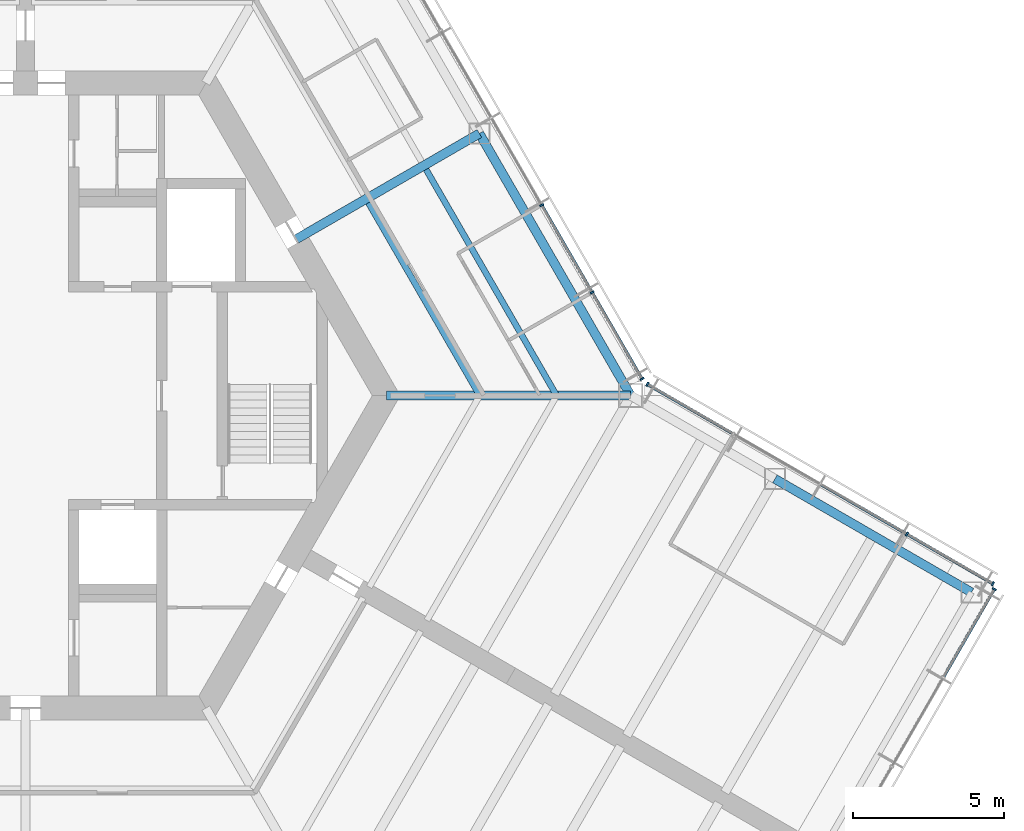
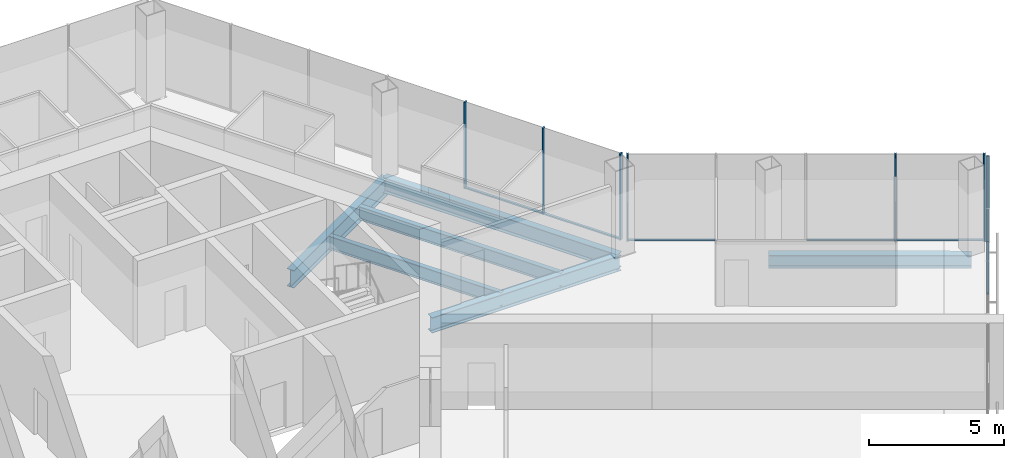
# One storey, part 5 of 14: 13 members, 6 beams, 3 elements without a shape of their own.
"""IFC4 building model written with IfcOpenShell, lengths in metres."""

import ifcopenshell
import ifcopenshell.guid

model = None  # the IFC model being written
_history = None  # IfcOwnerHistory: only IFC2X3 demands one
_inside = {}  # id of a spatial element -> (the spatial element, [elements in it])
_under = {}  # id of a project, library or spatial element -> (it, [spatial elements below it])
_declared = {}  # id of a project -> (the project, [libraries it declares])
_typed = {}  # id of a type object -> (the type object, [elements of that type])
_made_of = {}  # id of a material, layer set ... -> (it, [elements and type objects made of it])


def new_model(schema):
    """Start an empty IFC model of exactly this schema.

    Asked for "IFC4X3", IfcOpenShell would pick the latest addendum, in which some entities
    have other attributes; the version numbers below select the first issue.
    IFC2X3 requires an IfcOwnerHistory on every rooted entity: one is made here for all.
    """
    global model, _history
    if schema == "IFC4X3":
        model = ifcopenshell.file(schema_version=(4, 3, 0, 0))
    else:
        model = ifcopenshell.file(schema=schema)
    _inside.clear()
    _under.clear()
    _declared.clear()
    _typed.clear()
    _made_of.clear()
    _history = None
    if model.schema == "IFC2X3":
        org = make("IfcOrganization", Name="unknown")
        user = make(
            "IfcPersonAndOrganization",
            ThePerson=make("IfcPerson", FamilyName="unknown"),
            TheOrganization=org,
        )
        app = make(
            "IfcApplication",
            ApplicationDeveloper=org,
            Version="unknown",
            ApplicationFullName="unknown",
            ApplicationIdentifier="unknown",
        )
        _history = make(
            "IfcOwnerHistory",
            OwningUser=user,
            OwningApplication=app,
            ChangeAction="ADDED",
            CreationDate=0,
        )
    return model


def make(cls, **values):
    """One entity of the class cls with the attributes given. An attribute that is None is left unset."""
    return model.create_entity(
        cls, **{name: value for name, value in values.items() if value is not None}
    )


def rooted(cls, **values):
    """An entity with a GlobalId (a new one), such as an element, a storey or a relation."""
    return make(cls, GlobalId=ifcopenshell.guid.new(), OwnerHistory=_history, **values)


def si_unit(unit_type, name, prefix=None):
    """IfcSIUnit, for example si_unit("LENGTHUNIT", "METRE", prefix="MILLI")."""
    return make("IfcSIUnit", UnitType=unit_type, Prefix=prefix, Name=name)


def assignment(units):
    """IfcUnitAssignment: the units of a project."""
    return None if units is None else make("IfcUnitAssignment", Units=units)


def point(xyz):
    """IfcCartesianPoint."""
    return None if xyz is None else make("IfcCartesianPoint", Coordinates=xyz)


def direction(xyz):
    """IfcDirection."""
    return None if xyz is None else make("IfcDirection", DirectionRatios=xyz)


def frame(location, z_axis=None, x_axis=None):
    """IfcAxis2Placement3D, a coordinate frame: its origin and axes. An axis left out is left unset."""
    return make(
        "IfcAxis2Placement3D",
        Location=point(location),
        Axis=direction(z_axis),
        RefDirection=direction(x_axis),
    )


def frame_2d(location, x_axis=None):
    """IfcAxis2Placement2D, a coordinate frame in the plane: its origin and x axis."""
    return make(
        "IfcAxis2Placement2D", Location=point(location), RefDirection=direction(x_axis)
    )


def origin():
    """The frame at (0, 0, 0) with its axes left unset."""
    return frame((0.0, 0.0, 0.0))


def origin_2d():
    """The frame at (0, 0) in the plane with its x axis left unset."""
    return frame_2d((0.0, 0.0))


def place(relative_to, where):
    """IfcLocalPlacement: puts the frame where relative to a parent placement (None: the world)."""
    return make(
        "IfcLocalPlacement", PlacementRelTo=relative_to, RelativePlacement=where
    )


def context(
    kind, dimensions, precision=None, world=None, true_north=None, identifier=None
):
    """IfcGeometricRepresentationContext, for example the 3D "Model" context."""
    return make(
        "IfcGeometricRepresentationContext",
        ContextIdentifier=identifier,
        ContextType=kind,
        CoordinateSpaceDimension=dimensions,
        Precision=precision,
        WorldCoordinateSystem=world,
        TrueNorth=true_north,
    )


def subcontext(parent, identifier, kind, view, scale=None):
    """IfcGeometricRepresentationSubContext, for example "Body" below "Model"."""
    return make(
        "IfcGeometricRepresentationSubContext",
        ContextIdentifier=identifier,
        ContextType=kind,
        ParentContext=parent,
        TargetScale=scale,
        TargetView=view,
    )


def project(units=None, contexts=None):
    """IfcProject with its units and contexts."""
    return rooted(
        "IfcProject",
        Name="project",
        RepresentationContexts=contexts,
        UnitsInContext=assignment(units),
    )


def spatial(cls, under=None, at=None, **own):
    """A site, building, storey or space (cls), placed at a placement, below another one or the project."""
    s = rooted(cls, ObjectPlacement=at, **own)
    if under is not None:
        _under.setdefault(under.id(), (under, []))[1].append(s)
    return s


def profile(cls, at=None, kind="AREA", **sizes):
    """A parametric profile (cls). Its sizes go by their IFC names, for example OverallWidth=200.0."""
    return make(cls, ProfileType=kind, Position=at, **sizes)


def rectangle(**sizes):
    """IfcRectangleProfileDef."""
    return profile("IfcRectangleProfileDef", **sizes)


def i_section(**sizes):
    """IfcIShapeProfileDef."""
    return profile("IfcIShapeProfileDef", **sizes)


def extrude(swept, where, along, depth):
    """IfcExtrudedAreaSolid: the profile swept, set in the frame where, extruded along a direction by depth."""
    return make(
        "IfcExtrudedAreaSolid",
        SweptArea=swept,
        Position=where,
        ExtrudedDirection=direction(along),
        Depth=depth,
    )


def shape(context_of_items, identifier, shape_type, items):
    """IfcShapeRepresentation: the items that make up one representation, for example the "Body"."""
    return make(
        "IfcShapeRepresentation",
        ContextOfItems=context_of_items,
        RepresentationIdentifier=identifier,
        RepresentationType=shape_type,
        Items=items,
    )


def material(Name=None, Category=None):
    """IfcMaterial."""
    return make("IfcMaterial", Name=Name, Category=Category)


def material_profile(
    of_material, cross_section, Name=None, Category=None, Priority=None
):
    """IfcMaterialProfile: a cross section and its material."""
    return make(
        "IfcMaterialProfile",
        Name=Name,
        Material=of_material,
        Profile=cross_section,
        Priority=Priority,
        Category=Category,
    )


def profile_set(profiles, Name=None, composite=None):
    """IfcMaterialProfileSet."""
    return make(
        "IfcMaterialProfileSet",
        Name=Name,
        MaterialProfiles=profiles,
        CompositeProfile=composite,
    )


def made_of(thing, what):
    """Note that an element or type object is made of a material, layer set ...; save() writes the relation."""
    if what is not None:
        _made_of.setdefault(what.id(), (what, []))[1].append(thing)
    return thing


def type_object(cls, material=None, **own):
    """A type object (cls), such as IfcWallType, which elements share."""
    return made_of(rooted(cls, **own), material)


def element(
    cls,
    number,
    at=None,
    inside=None,
    cuts=None,
    type_object=None,
    material=None,
    context=None,
    identifier="Body",
    shape_type=None,
    held_by="IfcProductDefinitionShape",
    body=None,
    shapes=None,
    **own,
):
    """One element of the class cls, such as IfcWall. Its Tag is "e" and its number.

    at: its placement. inside: the storey or other place that contains it. cuts: it is an
    opening in that element (IfcRelVoidsElement). A single representation is given by context,
    identifier, shape_type and body (its items); several are given by shapes. held_by: the class
    of the entity that holds the representations. save() writes the other relations.
    """
    e = rooted(cls, Tag="e%d" % number, ObjectPlacement=at, **own)
    if body is not None:
        shapes = [shape(context, identifier, shape_type, body)]
    if shapes is not None:
        e.Representation = make(held_by, Representations=shapes)
    if inside is not None:
        _inside.setdefault(inside.id(), (inside, []))[1].append(e)
    if cuts is not None:
        rooted(
            "IfcRelVoidsElement", RelatingBuildingElement=cuts, RelatedOpeningElement=e
        )
    if type_object is not None:
        _typed.setdefault(type_object.id(), (type_object, []))[1].append(e)
    return made_of(e, material)


def aggregate(whole, parts):
    """IfcRelAggregates: a whole, such as a stair, and the parts it consists of."""
    return rooted("IfcRelAggregates", RelatingObject=whole, RelatedObjects=parts)


def save(model, path):
    """Write the relations noted so far, then the file.

    IfcRelAggregates (storeys below a building ...), IfcRelContainedInSpatialStructure (elements
    in a storey), IfcRelDefinesByType, IfcRelAssociatesMaterial and IfcRelDeclares: one each for
    every whole, place, type object, material and project.
    """
    for whole, parts in _under.values():
        aggregate(whole, parts)
    for where, things in _inside.values():
        rooted(
            "IfcRelContainedInSpatialStructure",
            RelatedElements=things,
            RelatingStructure=where,
        )
    for kind, things in _typed.values():
        rooted("IfcRelDefinesByType", RelatedObjects=things, RelatingType=kind)
    for what, things in _made_of.values():
        rooted("IfcRelAssociatesMaterial", RelatedObjects=things, RelatingMaterial=what)
    for by, libraries in _declared.values():
        rooted("IfcRelDeclares", RelatingContext=by, RelatedDefinitions=libraries)
    model.write(path)


model = new_model("IFC4")

# Units and contexts
model_context = context("Model", 3, precision=1e-05, world=origin(), true_north=direction((0.0, 1.0)))
body_context = subcontext(model_context, "Body", "Model", "MODEL_VIEW")
ifc_project = project(units=[si_unit("LENGTHUNIT", "METRE"), si_unit("AREAUNIT", "SQUARE_METRE"), si_unit("VOLUMEUNIT", "CUBIC_METRE"), si_unit("PLANEANGLEUNIT", "RADIAN"), si_unit("MASSUNIT", "GRAM", prefix="KILO")], contexts=[model_context])

# Site, building, storey
site_placement = place(None, origin())
site = spatial("IfcSite", under=ifc_project, at=site_placement, CompositionType="ELEMENT")
building_placement = place(site_placement, origin())
building = spatial("IfcBuilding", under=site, at=building_placement, Name="Kasaneha Research Tower", CompositionType="ELEMENT")
storey_placement = place(building_placement, frame((0.0, 0.0, 216.699951171875)))
storey = spatial("IfcBuildingStorey", under=building, at=storey_placement, Name="L54", CompositionType="ELEMENT", Elevation=216.699951171875)

# Beams
ifc_material_1 = material(Name="Steel SN490B", Category="steel")
ifc_material_profile_1 = material_profile(ifc_material_1, i_section(OverallWidth=0.199951171875, OverallDepth=0.60009765625, WebThickness=0.010986328125, FlangeThickness=0.01708984375, FilletRadius=0.012939453125, at=origin_2d()), Name="H-600x200x11x17")
ifc_profile_set_1 = profile_set([ifc_material_profile_1], Name="Steel SN490B")
beam_type_1 = type_object("IfcBeamType", Name="B1-3 secondary beam H-600x200x11x17", PredefinedType="JOIST", material=ifc_profile_set_1)
beam_1_placement = place(storey_placement, frame((15.010986328125, 0.0, -0.449951171875), z_axis=(-0.499994443168, 0.866028611999, 0.0), x_axis=(-0.866028611999, -0.499994443168, 0.0)))
element("IfcBeam", 1, at=beam_1_placement, inside=storey, type_object=beam_type_1, Name="Secondary beam RS030L1 L54", PredefinedType="JOIST", context=body_context, shape_type="SweptSolid", body=[
    extrude(i_section(OverallWidth=0.199951171875, OverallDepth=0.60009765625, WebThickness=0.010986328125, FlangeThickness=0.01708984375, FilletRadius=0.012939453125, at=origin_2d()), origin(), (0.0, 0.0, 1.0), 7.35546875),
])
beam_2_placement = place(storey_placement, frame((17.551513671875, 0.0, -0.449951171875), z_axis=(-0.5000050195, 0.866022505755, 0.0), x_axis=(-0.866022505755, -0.5000050195, 0.0)))
element("IfcBeam", 2, at=beam_2_placement, inside=storey, type_object=beam_type_1, Name="Secondary beam RS030L2 L54", PredefinedType="JOIST", context=body_context, shape_type="SweptSolid", body=[
    extrude(i_section(OverallWidth=0.199951171875, OverallDepth=0.60009765625, WebThickness=0.010986328125, FlangeThickness=0.01708984375, FilletRadius=0.012939453125, at=origin_2d()), origin(), (0.0, 0.0, 1.0), 8.6259765625),
])

# Curtain wall, members
ifc_material_2 = material(Name="Glass and aluminium", Category="aluminium")
curtain_wall_type = type_object("IfcCurtainWallType", Name="High-rise office curtain wall", PredefinedType="USERDEFINED", material=ifc_material_2)
curtain_wall_1_placement = place(storey_placement, origin())
curtain_wall_1 = element("IfcCurtainWall", 3, at=curtain_wall_1_placement, inside=storey, type_object=curtain_wall_type, Name="CW-O3 L54 run 01a", ObjectType="UNITISED CURTAIN WALL", PredefinedType="USERDEFINED")
ifc_material_3 = material(Name="Aluminium 6063-T6", Category="aluminium")
ifc_material_profile_2 = material_profile(ifc_material_3, rectangle(XDim=0.06005859375, YDim=0.139892578125, at=origin_2d()), Name="CW-O3 mullion 60x140")
ifc_profile_set_2 = profile_set([ifc_material_profile_2], Name="Aluminium 6063-T6")
member_type_1 = type_object("IfcMemberType", Name="CW-O3 mullion", PredefinedType="MULLION", material=ifc_profile_set_2)
member_1_placement = place(storey_placement, frame((20.374267578125, 0.5517578125, 0.0), z_axis=(0.0, 0.0, 1.0), x_axis=(-0.499999979232, 0.866025415775, 0.0)))
member_1 = element("IfcMember", 4, at=member_1_placement, type_object=member_type_1, Name="CW-O3 mullion 1", PredefinedType="MULLION", context=body_context, shape_type="SweptSolid", body=[
    extrude(rectangle(XDim=0.06005859375, YDim=0.139892578125, at=origin_2d()), origin(), (0.0, 0.0, 1.0), 3.900146484375),
])
member_2_placement = place(storey_placement, frame((18.723876953125, 3.410400390625, 0.0), z_axis=(0.0, 0.0, 1.0), x_axis=(-0.499999979232, 0.866025415775, 0.0)))
member_2 = element("IfcMember", 5, at=member_2_placement, type_object=member_type_1, Name="CW-O3 mullion 2", PredefinedType="MULLION", context=body_context, shape_type="SweptSolid", body=[
    extrude(rectangle(XDim=0.06005859375, YDim=0.139892578125, at=origin_2d()), origin(), (0.0, 0.0, 1.0), 3.900146484375),
])
member_3_placement = place(storey_placement, frame((17.058349609375, 6.295166015625, 0.0), z_axis=(0.0, 0.0, 1.0), x_axis=(-0.499999979232, 0.866025415775, 0.0)))
member_3 = element("IfcMember", 6, at=member_3_placement, type_object=member_type_1, Name="CW-O3 mullion 3", PredefinedType="MULLION", context=body_context, shape_type="SweptSolid", body=[
    extrude(rectangle(XDim=0.06005859375, YDim=0.139892578125, at=origin_2d()), origin(), (0.0, 0.0, 1.0), 3.900146484375),
])

# Curtain wall, member
curtain_wall_2_placement = place(storey_placement, origin())
curtain_wall_2 = element("IfcCurtainWall", 7, at=curtain_wall_2_placement, inside=storey, type_object=curtain_wall_type, Name="CW-O3 L54 run 08a", ObjectType="UNITISED CURTAIN WALL", PredefinedType="USERDEFINED")
member_4_placement = place(storey_placement, frame((32.012939453125, -6.39306640625, 0.0), z_axis=(0.0, 0.0, 1.0), x_axis=(0.500000011442, 0.866025397178, 0.0)))
member_4 = element("IfcMember", 8, at=member_4_placement, type_object=member_type_1, Name="CW-O3 mullion 4", PredefinedType="MULLION", context=body_context, shape_type="SweptSolid", body=[
    extrude(rectangle(XDim=0.06005859375, YDim=0.139892578125, at=origin_2d()), origin(), (0.0, 0.0, 1.0), 3.900146484375),
])

# Curtain wall, members
curtain_wall_3_placement = place(storey_placement, origin())
curtain_wall_3 = element("IfcCurtainWall", 9, at=curtain_wall_3_placement, inside=storey, type_object=curtain_wall_type, Name="CW-O3 L54 run 09a", ObjectType="UNITISED CURTAIN WALL", PredefinedType="USERDEFINED")
member_5_placement = place(storey_placement, frame((31.96533203125, -6.21533203125, 0.0), z_axis=(0.0, 0.0, 1.0), x_axis=(-0.866025411464, 0.499999986699, 0.0)))
member_5 = element("IfcMember", 10, at=member_5_placement, type_object=member_type_1, Name="CW-O3 mullion 1", PredefinedType="MULLION", context=body_context, shape_type="SweptSolid", body=[
    extrude(rectangle(XDim=0.06005859375, YDim=0.139892578125, at=origin_2d()), origin(), (0.0, 0.0, 1.0), 3.900146484375),
])
member_6_placement = place(storey_placement, frame((29.125, -4.575439453125, 0.0), z_axis=(0.0, 0.0, 1.0), x_axis=(-0.866025411464, 0.499999986699, 0.0)))
member_6 = element("IfcMember", 11, at=member_6_placement, type_object=member_type_1, Name="CW-O3 mullion 2", PredefinedType="MULLION", context=body_context, shape_type="SweptSolid", body=[
    extrude(rectangle(XDim=0.06005859375, YDim=0.139892578125, at=origin_2d()), origin(), (0.0, 0.0, 1.0), 3.900146484375),
])
member_7_placement = place(storey_placement, frame((20.5517578125, 0.374267578125, 0.0), z_axis=(0.0, 0.0, 1.0), x_axis=(-0.866025411464, 0.499999986699, 0.0)))
member_7 = element("IfcMember", 12, at=member_7_placement, type_object=member_type_1, Name="CW-O3 mullion 5", PredefinedType="MULLION", context=body_context, shape_type="SweptSolid", body=[
    extrude(rectangle(XDim=0.06005859375, YDim=0.139892578125, at=origin_2d()), origin(), (0.0, 0.0, 1.0), 3.900146484375),
])

# Member
ifc_material_4 = material(Name="Aluminium 6063-T6", Category="aluminium")
ifc_material_profile_3 = material_profile(ifc_material_4, rectangle(XDim=0.10009765625, YDim=0.06005859375, at=origin_2d()), Name="CW-O3 transom 100x60")
ifc_profile_set_3 = profile_set([ifc_material_profile_3], Name="Aluminium 6063-T6")
member_type_2 = type_object("IfcMemberType", Name="CW-O3 transom", PredefinedType="USERDEFINED", material=ifc_profile_set_3)
member_8_placement = place(storey_placement, frame((20.359130859375, 0.577880859375, 0.030029296875), z_axis=(-0.499987643696, 0.866032537582, 0.0), x_axis=(-0.866032537582, -0.499987643696, 0.0)))
member_8 = element("IfcMember", 13, at=member_8_placement, type_object=member_type_2, Name="CW-O3 transom 1", ObjectType="TRANSOM", PredefinedType="USERDEFINED", context=body_context, shape_type="SweptSolid", body=[
    extrude(rectangle(XDim=0.10009765625, YDim=0.06005859375, at=origin_2d()), origin(), (0.0, 0.0, 1.0), 3.24072265625),
])

member_9_placement = place(storey_placement, frame((18.708740234375, 3.4365234375, 0.030029296875), z_axis=(-0.500000270186, 0.866025247793, 0.0), x_axis=(-0.866025247793, -0.500000270186, 0.0)))
member_9 = element("IfcMember", 14, at=member_9_placement, type_object=member_type_2, Name="CW-O3 transom 2", ObjectType="TRANSOM", PredefinedType="USERDEFINED", context=body_context, shape_type="SweptSolid", body=[
    extrude(rectangle(XDim=0.10009765625, YDim=0.06005859375, at=origin_2d()), origin(), (0.0, 0.0, 1.0), 3.27099609375),
])

aggregate(curtain_wall_1, [member_1, member_2, member_3, member_8, member_9])

member_10_placement = place(storey_placement, frame((30.343017578125, -9.285400390625, 0.030029296875), z_axis=(0.500018282537, 0.866014848099, 0.0), x_axis=(-0.866014848099, 0.500018282537, 0.0)))
member_10 = element("IfcMember", 15, at=member_10_placement, type_object=member_type_2, Name="CW-O3 transom 3", ObjectType="TRANSOM", PredefinedType="USERDEFINED", context=body_context, shape_type="SweptSolid", body=[
    extrude(rectangle(XDim=0.10009765625, YDim=0.06005859375, at=origin_2d()), origin(), (0.0, 0.0, 1.0), 3.31005859375),
])

aggregate(curtain_wall_2, [member_4, member_10])

member_11_placement = place(storey_placement, frame((31.939453125, -6.200439453125, 0.030029296875), z_axis=(-0.866041647767, 0.499971863542, 0.0), x_axis=(-0.499971863542, -0.866041647767, 0.0)))
member_11 = element("IfcMember", 16, at=member_11_placement, type_object=member_type_2, Name="CW-O3 transom 1", ObjectType="TRANSOM", PredefinedType="USERDEFINED", context=body_context, shape_type="SweptSolid", body=[
    extrude(rectangle(XDim=0.10009765625, YDim=0.06005859375, at=origin_2d()), origin(), (0.0, 0.0, 1.0), 3.219970703125),
])

member_12_placement = place(storey_placement, frame((29.098876953125, -4.560546875, 0.030029296875), z_axis=(-0.86599666273, 0.500049777664, 0.0), x_axis=(-0.500049777664, -0.86599666273, 0.0)))
member_12 = element("IfcMember", 17, at=member_12_placement, type_object=member_type_2, Name="CW-O3 transom 2", ObjectType="TRANSOM", PredefinedType="USERDEFINED", context=body_context, shape_type="SweptSolid", body=[
    extrude(rectangle(XDim=0.10009765625, YDim=0.06005859375, at=origin_2d()), origin(), (0.0, 0.0, 1.0), 3.249755859375),
])

member_13_placement = place(storey_placement, frame((23.3662109375, -1.250732421875, 0.030029296875), z_axis=(-0.866022692473, 0.500004696101, 0.0), x_axis=(-0.500004696101, -0.866022692473, 0.0)))
member_13 = element("IfcMember", 18, at=member_13_placement, type_object=member_type_2, Name="CW-O3 transom 4", ObjectType="TRANSOM", PredefinedType="USERDEFINED", context=body_context, shape_type="SweptSolid", body=[
    extrude(rectangle(XDim=0.10009765625, YDim=0.06005859375, at=origin_2d()), origin(), (0.0, 0.0, 1.0), 3.2197265625),
])

aggregate(curtain_wall_3, [member_5, member_6, member_7, member_11, member_12, member_13])

# Beams
ifc_material_5 = material(Name="Steel SN490B", Category="steel")
ifc_material_profile_4 = material_profile(ifc_material_5, i_section(OverallWidth=0.300048828125, OverallDepth=0.699951171875, WebThickness=0.012939453125, FlangeThickness=0.02392578125, FilletRadius=0.01806640625, at=origin_2d()), Name="H-700x300x13x24")
ifc_profile_set_4 = profile_set([ifc_material_profile_4], Name="Steel SN490B")
beam_type_2 = type_object("IfcBeamType", Name="G1-3 radial girder H-700x300x13x24", PredefinedType="BEAM", material=ifc_profile_set_4)
beam_3_placement = place(storey_placement, frame((11.92236328125, 0.0, -0.5), z_axis=(1.0, 0.0, 0.0), x_axis=(0.0, 1.0, 0.0)))
element("IfcBeam", 19, at=beam_3_placement, inside=storey, type_object=beam_type_2, Name="Radial girder RV000 L54", PredefinedType="BEAM", context=body_context, shape_type="SweptSolid", body=[
    extrude(i_section(OverallWidth=0.300048828125, OverallDepth=0.699951171875, WebThickness=0.012939453125, FlangeThickness=0.02392578125, FilletRadius=0.01806640625, at=origin_2d()), origin(), (0.0, 0.0, 1.0), 8.07763671875),
])
ifc_material_6 = material(Name="Steel SN490B", Category="steel")
ifc_material_profile_5 = material_profile(ifc_material_6, i_section(OverallWidth=0.300048828125, OverallDepth=0.800048828125, WebThickness=0.013916015625, FlangeThickness=0.02587890625, FilletRadius=0.01806640625, at=origin_2d()), Name="H-800x300x14x26")
ifc_profile_set_5 = profile_set([ifc_material_profile_5], Name="Steel SN490B")
beam_type_3 = type_object("IfcBeamType", Name="G2-3 radial girder H-800x300x14x26", PredefinedType="BEAM", material=ifc_profile_set_5)
beam_4_placement = place(storey_placement, frame((8.941650390625, 5.16259765625, -0.550048828125), z_axis=(0.866039713508, 0.499975214012, 0.0), x_axis=(-0.499975214012, 0.866039713508, 0.0)))
element("IfcBeam", 20, at=beam_4_placement, inside=storey, type_object=beam_type_3, Name="Radial girder RM030 L54", PredefinedType="BEAM", context=body_context, shape_type="SweptSolid", body=[
    extrude(i_section(OverallWidth=0.300048828125, OverallDepth=0.800048828125, WebThickness=0.013916015625, FlangeThickness=0.02587890625, FilletRadius=0.01806640625, at=origin_2d()), origin(), (0.0, 0.0, 1.0), 6.995361328125),
])
ifc_material_7 = material(Name="Steel SN490B", Category="steel")
ifc_material_profile_6 = material_profile(ifc_material_7, i_section(OverallWidth=0.300048828125, OverallDepth=0.69189453125, WebThickness=0.012939453125, FlangeThickness=0.02001953125, FilletRadius=0.01806640625, at=origin_2d()), Name="H-692x300x13x20")
ifc_profile_set_6 = profile_set([ifc_material_profile_6], Name="Steel SN490B")
beam_type_4 = type_object("IfcBeamType", Name="SB1-3 spandrel beam H-692x300x13x20", PredefinedType="SPANDREL", material=ifc_profile_set_6)
beam_5_placement = place(storey_placement, frame((20.0, 0.0, -0.495849609375), z_axis=(-0.500004234368, 0.866022959057, 0.0), x_axis=(-0.866022959057, -0.500004234368, 0.0)))
element("IfcBeam", 21, at=beam_5_placement, inside=storey, type_object=beam_type_4, Name="Spandrel beam SR030L L54", PredefinedType="SPANDREL", context=body_context, shape_type="SweptSolid", body=[
    extrude(i_section(OverallWidth=0.300048828125, OverallDepth=0.69189453125, WebThickness=0.012939453125, FlangeThickness=0.02001953125, FilletRadius=0.01806640625, at=origin_2d()), origin(), (0.0, 0.0, 1.0), 10.0),
])
ifc_material_8 = material(Name="Steel SN490B", Category="steel")
ifc_material_profile_7 = material_profile(ifc_material_8, i_section(OverallWidth=0.300048828125, OverallDepth=0.58203125, WebThickness=0.011962890625, FlangeThickness=0.01708984375, FilletRadius=0.012939453125, at=origin_2d()), Name="H-582x300x12x17")
ifc_profile_set_7 = profile_set([ifc_material_profile_7], Name="Steel SN490B")
beam_type_5 = type_object("IfcBeamType", Name="SB2-3 spandrel beam H-582x300x12x17", PredefinedType="SPANDREL", material=ifc_profile_set_7)
beam_6_placement = place(storey_placement, frame((24.76318359375, -2.75, -0.44091796875), z_axis=(0.866022959057, -0.500004234368, 0.0), x_axis=(0.500004234368, 0.866022959057, 0.0)))
element("IfcBeam", 22, at=beam_6_placement, inside=storey, type_object=beam_type_5, Name="Spandrel beam WSCN2 L54", PredefinedType="SPANDREL", context=body_context, shape_type="SweptSolid", body=[
    extrude(i_section(OverallWidth=0.300048828125, OverallDepth=0.58203125, WebThickness=0.011962890625, FlangeThickness=0.01708984375, FilletRadius=0.012939453125, at=origin_2d()), origin(), (0.0, 0.0, 1.0), 7.5),
])

save(model, "model.ifc")
